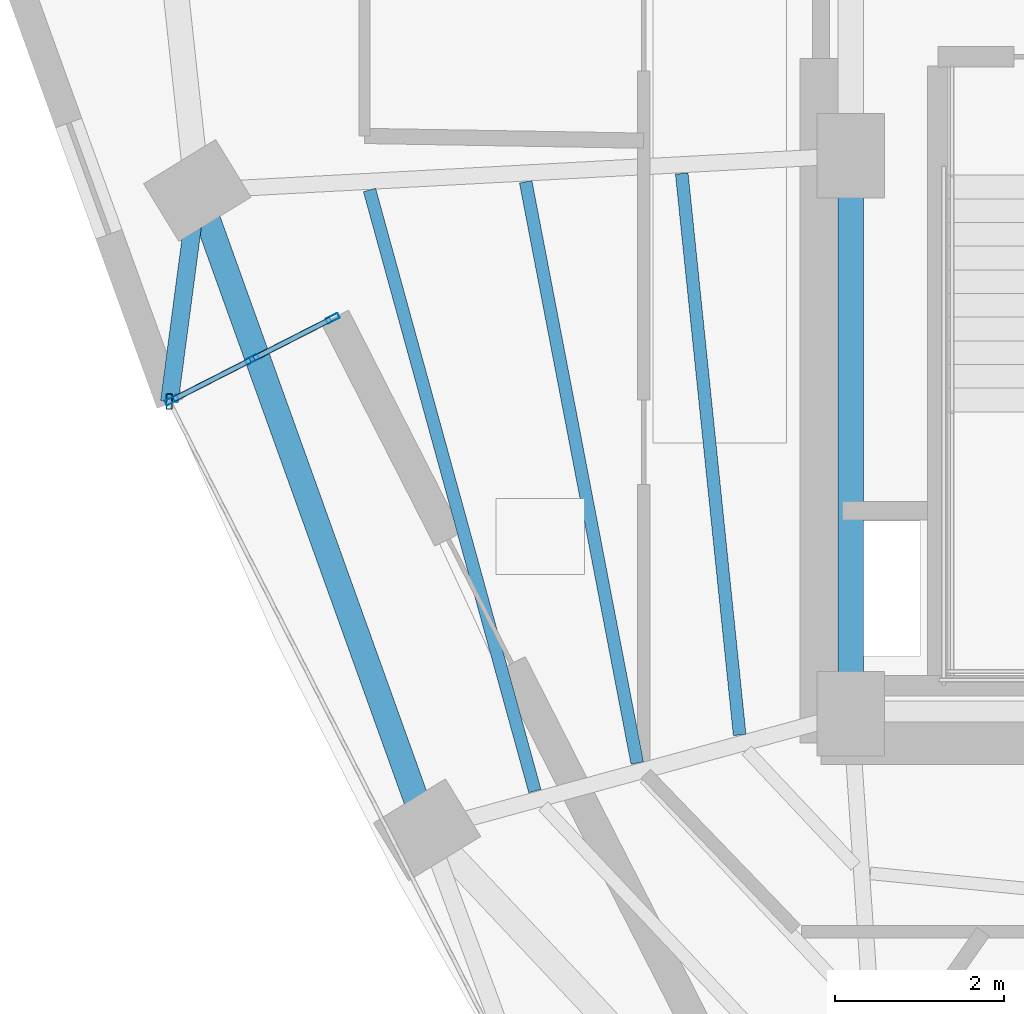
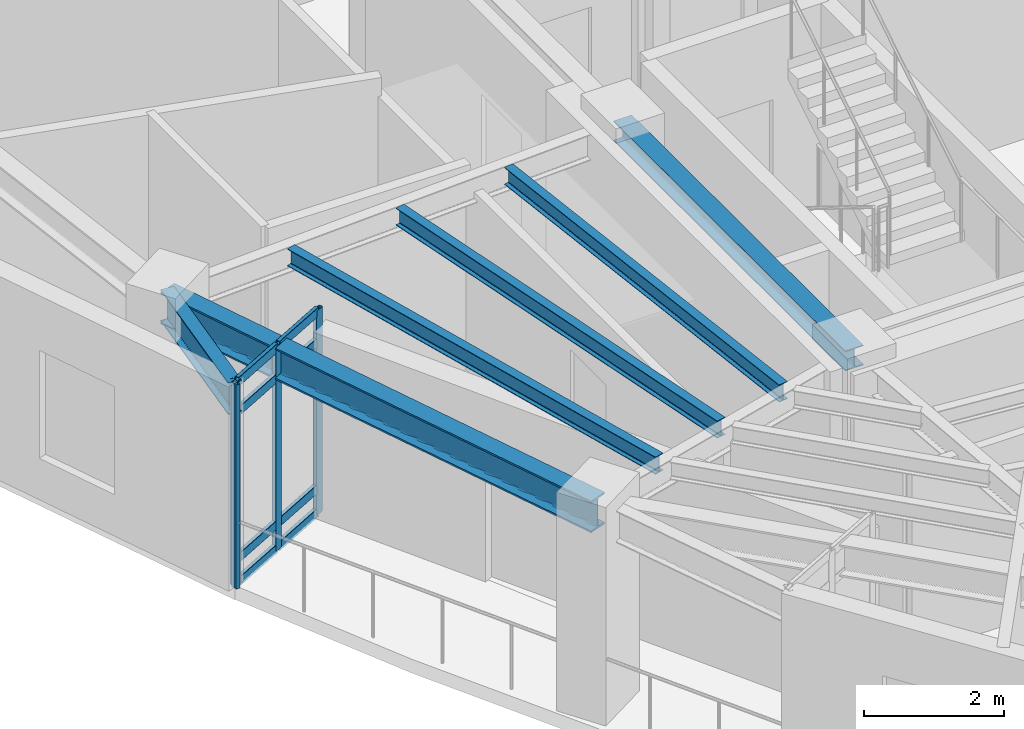
# One storey, part 4 of 12: 12 members, 6 beams, 1 element without a shape of its own.
"""IFC4 building model written with IfcOpenShell, lengths in metres."""

from ifc_helpers import new_model, si_unit, direction, frame, origin, origin_2d, place, context, subcontext, project, spatial, hollow_rectangle, i_section, extrude, material, layer, layer_set, material_profile, profile_set, type_object, element, aggregate, save


model = new_model("IFC4")

# Units and contexts
model_context = context("Model", 3, precision=1e-05, world=origin(), true_north=direction((0.0, 1.0)))
body_context = subcontext(model_context, "Body", "Model", "MODEL_VIEW")
ifc_project = project(units=[si_unit("LENGTHUNIT", "METRE"), si_unit("AREAUNIT", "SQUARE_METRE"), si_unit("VOLUMEUNIT", "CUBIC_METRE"), si_unit("PLANEANGLEUNIT", "RADIAN"), si_unit("MASSUNIT", "GRAM", prefix="KILO")], contexts=[model_context])

# Site, building, storey
site_placement = place(None, origin())
site = spatial("IfcSite", under=ifc_project, at=site_placement, CompositionType="ELEMENT")
building_placement = place(site_placement, origin())
building = spatial("IfcBuilding", under=site, at=building_placement, Name="Ndelora Gate Hotel", CompositionType="ELEMENT")
storey_placement = place(building_placement, frame((0.0, 0.0, 201.75)))
storey = spatial("IfcBuildingStorey", under=building, at=storey_placement, Name="L50", CompositionType="ELEMENT", Elevation=201.75)

# Beams
ifc_material_1 = material(Name="Steel S355", Category="steel")
ifc_material_profile_1 = material_profile(ifc_material_1, i_section(OverallWidth=0.300048828125, OverallDepth=0.35009765625, WebThickness=0.010009765625, FlangeThickness=0.017578125, FilletRadius=0.027099609375, at=origin_2d()), Name="HEA 360")
ifc_profile_set_1 = profile_set([ifc_material_profile_1], Name="Steel S355")
beam_type_1 = type_object("IfcBeamType", Name="BM-CORE-350", PredefinedType="BEAM", material=ifc_profile_set_1)
beam_1_placement = place(storey_placement, frame((-8.0, -6.60009765625, 3.375), z_axis=(0.0, 1.0, 0.0), x_axis=(-1.0, 0.0, 0.0)))
element("IfcBeam", 1, at=beam_1_placement, inside=storey, type_object=beam_type_1, Name="L50 Core Tie Girder CC1-CC8", PredefinedType="BEAM", context=body_context, shape_type="SweptSolid", body=[
    extrude(i_section(OverallWidth=0.300048828125, OverallDepth=0.35009765625, WebThickness=0.010009765625, FlangeThickness=0.017578125, FilletRadius=0.027099609375, at=origin_2d()), origin(), (0.0, 0.0, 1.0), 6.60009765625),
])
ifc_material_profile_2 = material_profile(ifc_material_1, i_section(OverallWidth=0.14990234375, OverallDepth=0.300048828125, WebThickness=0.007080078125, FlangeThickness=0.0107421875, FilletRadius=0.014892578125, at=origin_2d()), Name="IPE 300")
ifc_profile_set_2 = profile_set([ifc_material_profile_2], Name="Steel S355")
beam_type_2 = type_object("IfcBeamType", Name="BM-JST-300", PredefinedType="JOIST", material=ifc_profile_set_2)
beam_2_placement = place(storey_placement, frame((-9.9990234375, -0.21142578125, 3.39990234375), z_axis=(0.10260596827, -0.994722079415, 0.0), x_axis=(0.994722079415, 0.10260596827, 0.0)))
element("IfcBeam", 2, at=beam_2_placement, inside=storey, type_object=beam_type_2, Name="L50 Secondary Composite Floor Joist IN-2", PredefinedType="JOIST", context=body_context, shape_type="SweptSolid", body=[
    extrude(i_section(OverallWidth=0.14990234375, OverallDepth=0.300048828125, WebThickness=0.007080078125, FlangeThickness=0.0107421875, FilletRadius=0.014892578125, at=origin_2d()), origin(), (0.0, 0.0, 1.0), 6.676513671875),
])
beam_3_placement = place(storey_placement, frame((-11.84521484375, -0.30908203125, 3.39990234375), z_axis=(0.188470955684, -0.982078764083, 0.0), x_axis=(0.982078764083, 0.188470955684, 0.0)))
element("IfcBeam", 3, at=beam_3_placement, inside=storey, type_object=beam_type_2, Name="L50 Secondary Composite Floor Joist MID-2", PredefinedType="JOIST", context=body_context, shape_type="SweptSolid", body=[
    extrude(i_section(OverallWidth=0.14990234375, OverallDepth=0.300048828125, WebThickness=0.007080078125, FlangeThickness=0.0107421875, FilletRadius=0.014892578125, at=origin_2d()), origin(), (0.0, 0.0, 1.0), 7.000244140625),
])
beam_4_placement = place(storey_placement, frame((-13.6923828125, -0.406005859375, 3.39990234375), z_axis=(0.2652180483, -0.964188460238, 0.0), x_axis=(0.964188460238, 0.2652180483, 0.0)))
element("IfcBeam", 4, at=beam_4_placement, inside=storey, type_object=beam_type_2, Name="L50 Secondary Composite Floor Joist OUT-2", PredefinedType="JOIST", context=body_context, shape_type="SweptSolid", body=[
    extrude(i_section(OverallWidth=0.14990234375, OverallDepth=0.300048828125, WebThickness=0.007080078125, FlangeThickness=0.0107421875, FilletRadius=0.014892578125, at=origin_2d()), origin(), (0.0, 0.0, 1.0), 7.37353515625),
])
ifc_material_profile_3 = material_profile(ifc_material_1, i_section(OverallWidth=0.2099609375, OverallDepth=0.550048828125, WebThickness=0.010986328125, FlangeThickness=0.01708984375, FilletRadius=0.02392578125, at=origin_2d()), Name="IPE 550")
ifc_profile_set_3 = profile_set([ifc_material_profile_3], Name="Steel S355")
beam_type_3 = type_object("IfcBeamType", Name="BM-RAD-550", PredefinedType="BEAM", material=ifc_profile_set_3)
beam_5_placement = place(storey_placement, frame((-15.72998046875, -0.411865234375, 3.27490234375), z_axis=(-0.131084004825, -0.9913712643, 0.0), x_axis=(0.9913712643, -0.131084004825, 0.0)))
element("IfcBeam", 5, at=beam_5_placement, inside=storey, type_object=beam_type_3, Name="L50 Sky-Garden Loggia Column Bracket 1", PredefinedType="BEAM", context=body_context, shape_type="SweptSolid", body=[
    extrude(i_section(OverallWidth=0.2099609375, OverallDepth=0.550048828125, WebThickness=0.010986328125, FlangeThickness=0.01708984375, FilletRadius=0.02392578125, at=origin_2d()), origin(), (0.0, 0.0, 1.0), 2.51806640625),
])
ifc_material_profile_4 = material_profile(ifc_material_1, i_section(OverallWidth=0.300048828125, OverallDepth=0.550048828125, WebThickness=0.014892578125, FlangeThickness=0.029052734375, FilletRadius=0.027099609375, at=origin_2d()), Name="HEB 550")
ifc_profile_set_4 = profile_set([ifc_material_profile_4], Name="Steel S355")
beam_type_4 = type_object("IfcBeamType", Name="BM-RING-550", PredefinedType="SPANDREL", material=ifc_profile_set_4)
beam_6_placement = place(storey_placement, frame((-15.72998046875, -0.411865234375, 3.27490234375), z_axis=(0.338244972382, -0.941058095262, 0.0), x_axis=(0.941058095262, 0.338244972382, 0.0)))
element("IfcBeam", 6, at=beam_6_placement, inside=storey, type_object=beam_type_4, Name="L50 Perimeter Spandrel Girder 2", PredefinedType="SPANDREL", context=body_context, shape_type="SweptSolid", body=[
    extrude(i_section(OverallWidth=0.300048828125, OverallDepth=0.550048828125, WebThickness=0.014892578125, FlangeThickness=0.029052734375, FilletRadius=0.027099609375, at=origin_2d()), origin(), (0.0, 0.0, 1.0), 8.03564453125),
])

# Curtain wall, members
ifc_material_2 = material(Name="Bronze Anodised Unitised Aluminium and Low-E Glass", Category="aluminium")
ifc_layer = layer(ifc_material_2, 0.199951171875)
ifc_layer_set = layer_set([ifc_layer], Name="Bronze Anodised Unitised Aluminium and Low-E Glass")
curtain_wall_type = type_object("IfcCurtainWallType", Name="CW-SYS-3", PredefinedType="NOTDEFINED", material=ifc_layer_set)
curtain_wall_placement = place(storey_placement, origin())
curtain_wall = element("IfcCurtainWall", 7, at=curtain_wall_placement, inside=storey, type_object=curtain_wall_type, Name="L50 Sky-Garden Loggia Side Curtain Wall CW3-1", PredefinedType="NOTDEFINED")
ifc_material_3 = material(Name="Bronze Anodised Aluminium 6063-T6", Category="aluminium")
ifc_material_profile_5 = material_profile(ifc_material_3, hollow_rectangle(XDim=0.06494140625, YDim=0.159912109375, WallThickness=0.00390625, InnerFilletRadius=0.00390625, OuterFilletRadius=0.008056640625, at=origin_2d()), Name="ALU 160x65x4")
ifc_profile_set_5 = profile_set([ifc_material_profile_5], Name="Bronze Anodised Aluminium 6063-T6")
member_type_1 = type_object("IfcMemberType", Name="MB-CW-MUL150", PredefinedType="MULLION", material=ifc_profile_set_5)
member_1_placement = place(storey_placement, frame((-14.12890625, -1.924072265625, -0.00390625), z_axis=(0.0, 0.0, 1.0), x_axis=(0.454000680995, -0.891001336507, 0.0)))
member_1 = element("IfcMember", 8, at=member_1_placement, type_object=member_type_1, Name="CW3 mullion 1", PredefinedType="MULLION", context=body_context, shape_type="SweptSolid", body=[
    extrude(hollow_rectangle(XDim=0.06494140625, YDim=0.159912109375, WallThickness=0.00390625, InnerFilletRadius=0.00390625, OuterFilletRadius=0.008056640625, at=origin_2d()), origin(), (0.0, 0.0, 1.0), 3.557861328125),
])
member_2_placement = place(storey_placement, frame((-15.080078125, -2.40869140625, -0.00390625), z_axis=(0.0, 0.0, 1.0), x_axis=(0.454000680995, -0.891001336507, 0.0)))
member_2 = element("IfcMember", 9, at=member_2_placement, type_object=member_type_1, Name="CW3 mullion 2", PredefinedType="MULLION", context=body_context, shape_type="SweptSolid", body=[
    extrude(hollow_rectangle(XDim=0.06494140625, YDim=0.159912109375, WallThickness=0.00390625, InnerFilletRadius=0.00390625, OuterFilletRadius=0.008056640625, at=origin_2d()), origin(), (0.0, 0.0, 1.0), 3.557861328125),
])
member_3_placement = place(storey_placement, frame((-16.03125, -2.893310546875, -0.00390625), z_axis=(0.0, 0.0, 1.0), x_axis=(0.454000680995, -0.891001336507, 0.0)))
member_3 = element("IfcMember", 10, at=member_3_placement, type_object=member_type_1, Name="CW3 mullion 3", PredefinedType="MULLION", context=body_context, shape_type="SweptSolid", body=[
    extrude(hollow_rectangle(XDim=0.06494140625, YDim=0.159912109375, WallThickness=0.00390625, InnerFilletRadius=0.00390625, OuterFilletRadius=0.008056640625, at=origin_2d()), origin(), (0.0, 0.0, 1.0), 3.557861328125),
])
ifc_material_profile_6 = material_profile(ifc_material_3, hollow_rectangle(XDim=0.070068359375, YDim=0.179931640625, WallThickness=0.0048828125, InnerFilletRadius=0.0048828125, OuterFilletRadius=0.010009765625, at=origin_2d()), Name="ALU 180x70x5")
ifc_profile_set_6 = profile_set([ifc_material_profile_6], Name="Bronze Anodised Aluminium 6063-T6")
member_type_2 = type_object("IfcMemberType", Name="MB-CW-MUL180", PredefinedType="MULLION", material=ifc_profile_set_6)
member_4_placement = place(storey_placement, frame((-16.06005859375, -2.908203125, 0.0), z_axis=(0.0, 0.0, 1.0), x_axis=(1.0, 0.0, 0.0)))
member_4 = element("IfcMember", 11, at=member_4_placement, type_object=member_type_2, Name="L50 Sky-Garden Loggia Corner Mullion Post 1", PredefinedType="MULLION", context=body_context, shape_type="SweptSolid", body=[
    extrude(hollow_rectangle(XDim=0.070068359375, YDim=0.179931640625, WallThickness=0.0048828125, InnerFilletRadius=0.0048828125, OuterFilletRadius=0.010009765625, at=origin_2d()), origin(), (0.0, 0.0, 1.0), 3.550048828125),
])
ifc_material_profile_7 = material_profile(ifc_material_3, hollow_rectangle(XDim=0.06494140625, YDim=0.159912109375, WallThickness=0.00390625, InnerFilletRadius=0.00390625, OuterFilletRadius=0.008056640625, at=origin_2d()), Name="ALU 160x65x4")
ifc_profile_set_7 = profile_set([ifc_material_profile_7], Name="Bronze Anodised Aluminium 6063-T6")
member_type_3 = type_object("IfcMemberType", Name="MB-CW-TRN150", PredefinedType="USERDEFINED", material=ifc_profile_set_7)
member_5_placement = place(storey_placement, frame((-14.152587890625, -1.93603515625, 0.032470703125), z_axis=(-0.890934786756, -0.454131264886, 0.0), x_axis=(0.454131264886, -0.890934786756, 0.0)))
member_5 = element("IfcMember", 12, at=member_5_placement, type_object=member_type_3, Name="CW3 transom 1.1", ObjectType="TRANSOM", PredefinedType="USERDEFINED", context=body_context, shape_type="SweptSolid", body=[
    extrude(hollow_rectangle(XDim=0.06494140625, YDim=0.159912109375, WallThickness=0.00390625, InnerFilletRadius=0.00390625, OuterFilletRadius=0.008056640625, at=origin_2d()), origin(), (0.0, 0.0, 1.0), 1.014404296875),
])
member_6_placement = place(storey_placement, frame((-14.152587890625, -1.93603515625, 0.449951171875), z_axis=(-0.890934786756, -0.454131264886, 0.0), x_axis=(0.454131264886, -0.890934786756, 0.0)))
member_6 = element("IfcMember", 13, at=member_6_placement, type_object=member_type_3, Name="CW3 transom 1.2", ObjectType="TRANSOM", PredefinedType="USERDEFINED", context=body_context, shape_type="SweptSolid", body=[
    extrude(hollow_rectangle(XDim=0.06494140625, YDim=0.159912109375, WallThickness=0.00390625, InnerFilletRadius=0.00390625, OuterFilletRadius=0.008056640625, at=origin_2d()), origin(), (0.0, 0.0, 1.0), 1.014404296875),
])
member_7_placement = place(storey_placement, frame((-14.152587890625, -1.93603515625, 3.0), z_axis=(-0.890934786756, -0.454131264886, 0.0), x_axis=(0.454131264886, -0.890934786756, 0.0)))
member_7 = element("IfcMember", 14, at=member_7_placement, type_object=member_type_3, Name="CW3 transom 1.3", ObjectType="TRANSOM", PredefinedType="USERDEFINED", context=body_context, shape_type="SweptSolid", body=[
    extrude(hollow_rectangle(XDim=0.06494140625, YDim=0.159912109375, WallThickness=0.00390625, InnerFilletRadius=0.00390625, OuterFilletRadius=0.008056640625, at=origin_2d()), origin(), (0.0, 0.0, 1.0), 1.014404296875),
])
member_8_placement = place(storey_placement, frame((-14.152587890625, -1.93603515625, 3.517578125), z_axis=(-0.890934786756, -0.454131264886, 0.0), x_axis=(0.454131264886, -0.890934786756, 0.0)))
member_8 = element("IfcMember", 15, at=member_8_placement, type_object=member_type_3, Name="CW3 transom 1.4", ObjectType="TRANSOM", PredefinedType="USERDEFINED", context=body_context, shape_type="SweptSolid", body=[
    extrude(hollow_rectangle(XDim=0.06494140625, YDim=0.159912109375, WallThickness=0.00390625, InnerFilletRadius=0.00390625, OuterFilletRadius=0.008056640625, at=origin_2d()), origin(), (0.0, 0.0, 1.0), 1.014404296875),
])
member_9_placement = place(storey_placement, frame((-15.103515625, -2.420654296875, 0.032470703125), z_axis=(-0.890984404001, -0.454033910437, 0.0), x_axis=(0.454033910437, -0.890984404001, 0.0)))
member_9 = element("IfcMember", 16, at=member_9_placement, type_object=member_type_3, Name="CW3 transom 2.1", ObjectType="TRANSOM", PredefinedType="USERDEFINED", context=body_context, shape_type="SweptSolid", body=[
    extrude(hollow_rectangle(XDim=0.06494140625, YDim=0.159912109375, WallThickness=0.00390625, InnerFilletRadius=0.00390625, OuterFilletRadius=0.008056640625, at=origin_2d()), origin(), (0.0, 0.0, 1.0), 1.0146484375),
])
member_10_placement = place(storey_placement, frame((-15.103515625, -2.420654296875, 0.449951171875), z_axis=(-0.890984404001, -0.454033910437, 0.0), x_axis=(0.454033910437, -0.890984404001, 0.0)))
member_10 = element("IfcMember", 17, at=member_10_placement, type_object=member_type_3, Name="CW3 transom 2.2", ObjectType="TRANSOM", PredefinedType="USERDEFINED", context=body_context, shape_type="SweptSolid", body=[
    extrude(hollow_rectangle(XDim=0.06494140625, YDim=0.159912109375, WallThickness=0.00390625, InnerFilletRadius=0.00390625, OuterFilletRadius=0.008056640625, at=origin_2d()), origin(), (0.0, 0.0, 1.0), 1.0146484375),
])
member_11_placement = place(storey_placement, frame((-15.103515625, -2.420654296875, 3.0), z_axis=(-0.890984404001, -0.454033910437, 0.0), x_axis=(0.454033910437, -0.890984404001, 0.0)))
member_11 = element("IfcMember", 18, at=member_11_placement, type_object=member_type_3, Name="CW3 transom 2.3", ObjectType="TRANSOM", PredefinedType="USERDEFINED", context=body_context, shape_type="SweptSolid", body=[
    extrude(hollow_rectangle(XDim=0.06494140625, YDim=0.159912109375, WallThickness=0.00390625, InnerFilletRadius=0.00390625, OuterFilletRadius=0.008056640625, at=origin_2d()), origin(), (0.0, 0.0, 1.0), 1.0146484375),
])
member_12_placement = place(storey_placement, frame((-15.103515625, -2.420654296875, 3.517578125), z_axis=(-0.890984404001, -0.454033910437, 0.0), x_axis=(0.454033910437, -0.890984404001, 0.0)))
member_12 = element("IfcMember", 19, at=member_12_placement, type_object=member_type_3, Name="CW3 transom 2.4", ObjectType="TRANSOM", PredefinedType="USERDEFINED", context=body_context, shape_type="SweptSolid", body=[
    extrude(hollow_rectangle(XDim=0.06494140625, YDim=0.159912109375, WallThickness=0.00390625, InnerFilletRadius=0.00390625, OuterFilletRadius=0.008056640625, at=origin_2d()), origin(), (0.0, 0.0, 1.0), 1.0146484375),
])
aggregate(curtain_wall, [member_1, member_2, member_3, member_5, member_6, member_7, member_8, member_9, member_10, member_11, member_12, member_4])

save(model, "model.ifc")
